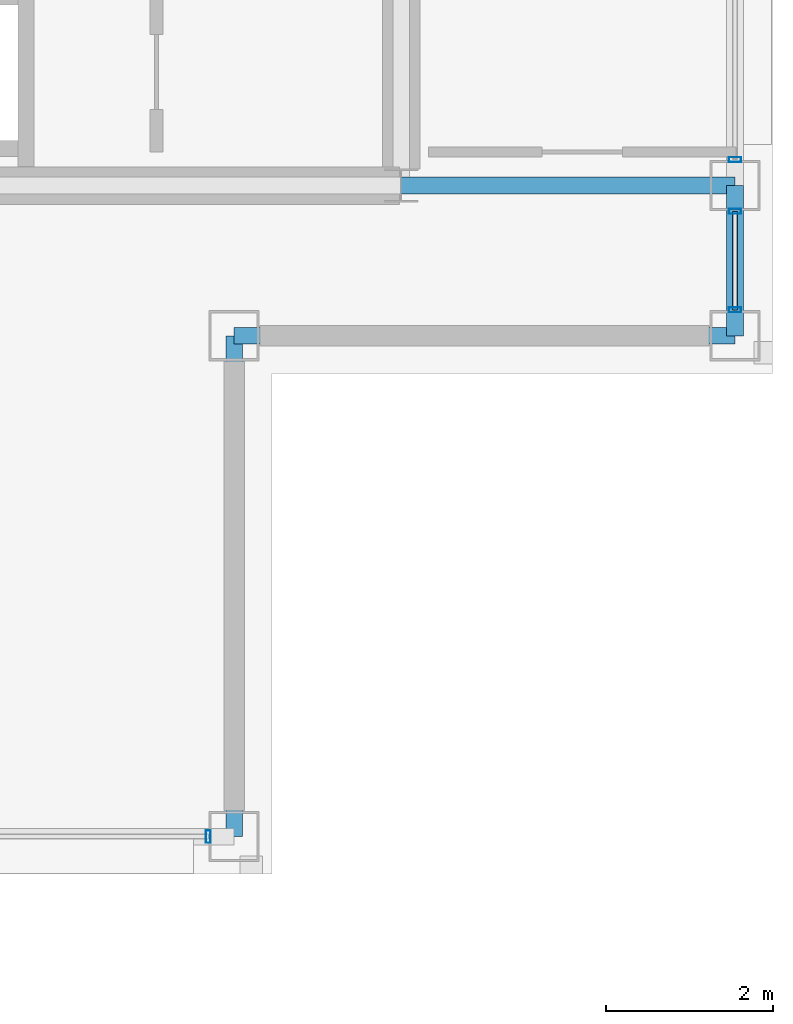
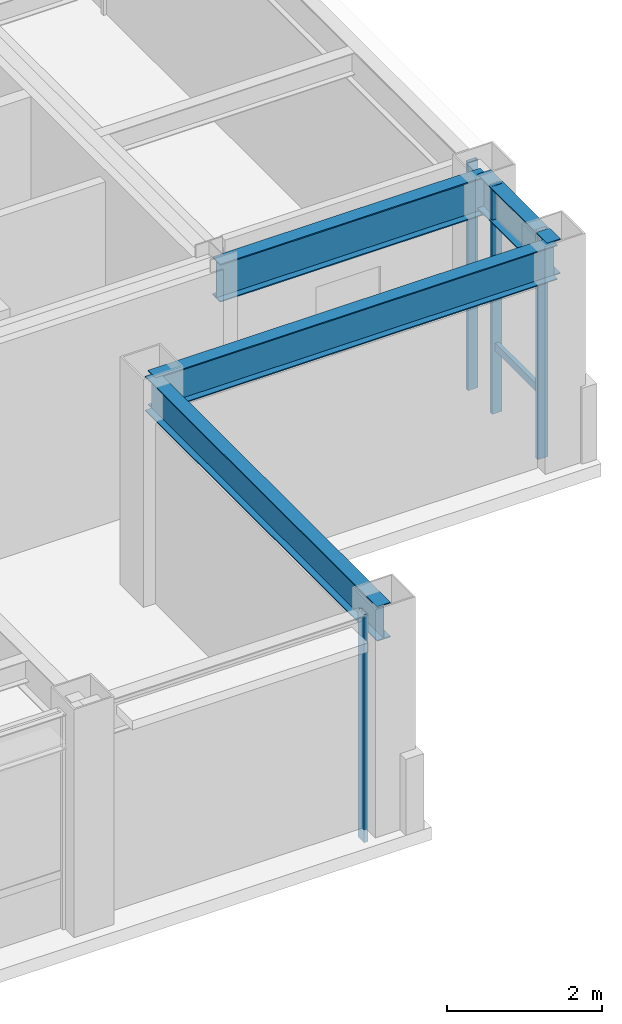
# One storey, part 13 of 24: 5 members, 4 beams, 3 elements without a shape of their own.
"""IFC4 building model written with IfcOpenShell, lengths in metres."""

from ifc_helpers import new_model, si_unit, direction, frame, origin, origin_2d, place, context, subcontext, project, spatial, hollow_rectangle, i_section, extrude, material, layer, layer_set, material_profile, profile_set, type_object, element, aggregate, save


model = new_model("IFC4")

# Units and contexts
model_context = context("Model", 3, precision=1e-05, world=origin(), true_north=direction((0.0, 1.0)))
body_context = subcontext(model_context, "Body", "Model", "MODEL_VIEW")
ifc_project = project(units=[si_unit("LENGTHUNIT", "METRE"), si_unit("AREAUNIT", "SQUARE_METRE"), si_unit("VOLUMEUNIT", "CUBIC_METRE"), si_unit("PLANEANGLEUNIT", "RADIAN"), si_unit("MASSUNIT", "GRAM", prefix="KILO")], contexts=[model_context])

# Site, building, storey
site_placement = place(None, origin())
site = spatial("IfcSite", under=ifc_project, at=site_placement, CompositionType="ELEMENT")
building_placement = place(site_placement, origin())
building = spatial("IfcBuilding", under=site, at=building_placement, Name="Brelmoor Portico Tower", CompositionType="ELEMENT")
storey_placement = place(building_placement, frame((0.0, 0.0, 261.60009765625)))
storey = spatial("IfcBuildingStorey", under=building, at=storey_placement, Name="L69", CompositionType="ELEMENT", Elevation=261.60009765625)

# Beams
ifc_material_1 = material(Name="Steel Q355B", Category="steel")
ifc_material_profile_1 = material_profile(ifc_material_1, i_section(OverallWidth=0.199951171875, OverallDepth=0.60009765625, WebThickness=0.010986328125, FlangeThickness=0.01708984375, at=origin_2d()), Name="HN 600x200x11x17")
ifc_profile_set_1 = profile_set([ifc_material_profile_1], Name="Steel Q355B")
beam_type_1 = type_object("IfcBeamType", Name="BM-PG-600", PredefinedType="BEAM", material=ifc_profile_set_1)
beam_1_placement = place(storey_placement, frame((14.550048828125, -9.75, 3.099853515625), z_axis=(1.0, 0.0, 0.0), x_axis=(0.0, 1.0, 0.0)))
element("IfcBeam", 1, at=beam_1_placement, inside=storey, type_object=beam_type_1, Name="L69 Primary Floor Girder PG-15", PredefinedType="BEAM", context=body_context, shape_type="SweptSolid", body=[
    extrude(i_section(OverallWidth=0.199951171875, OverallDepth=0.60009765625, WebThickness=0.010986328125, FlangeThickness=0.01708984375, at=origin_2d()), origin(), (0.0, 0.0, 1.0), 4.0),
])
ifc_material_profile_2 = material_profile(ifc_material_1, i_section(OverallWidth=0.199951171875, OverallDepth=0.550048828125, WebThickness=0.010009765625, FlangeThickness=0.01611328125, at=origin_2d()), Name="HN 550x200x10x16")
ifc_profile_set_2 = profile_set([ifc_material_profile_2], Name="Steel Q355B")
beam_type_2 = type_object("IfcBeamType", Name="BM-SP-550", PredefinedType="SPANDREL", material=ifc_profile_set_2)
for number, where, z_axis, x_axis, name in (
    (2, (12.550048828125, -11.550048828125, 3.125), (1.0, 0.0, 0.0), (0.0, 1.0, 0.0), "L69 Perimeter Spandrel Beam SP-05"),
    (3, (12.550048828125, -17.550048828125, 3.125), (0.0, 1.0, 0.0), (-1.0, 0.0, 0.0), "L69 Perimeter Spandrel Beam SP-16"),
):
    element("IfcBeam", number, at=place(storey_placement, frame(where, z_axis=z_axis, x_axis=x_axis)), inside=storey, type_object=beam_type_2, Name=name, PredefinedType="SPANDREL", context=body_context, shape_type="SweptSolid", body=[
        extrude(i_section(OverallWidth=0.199951171875, OverallDepth=0.550048828125, WebThickness=0.010009765625, FlangeThickness=0.01611328125, at=origin_2d()), origin(), (0.0, 0.0, 1.0), 6.0),
    ])
beam_2_placement = place(storey_placement, frame((18.550048828125, -11.550048828125, 3.125), z_axis=(0.0, 1.0, 0.0), x_axis=(-1.0, 0.0, 0.0)))
element("IfcBeam", 4, at=beam_2_placement, inside=storey, type_object=beam_type_2, Name="L69 Perimeter Spandrel Beam SP-18", PredefinedType="SPANDREL", context=body_context, shape_type="SweptSolid", body=[
    extrude(i_section(OverallWidth=0.199951171875, OverallDepth=0.550048828125, WebThickness=0.010009765625, FlangeThickness=0.01611328125, at=origin_2d()), origin(), (0.0, 0.0, 1.0), 1.800048828125),
])

# Curtain wall, member
ifc_material_2 = material(Name="Anodised Aluminium Alloy 6063-T6", Category="aluminium")
ifc_layer_1 = layer(ifc_material_2, 0.179931640625)
ifc_layer_set_1 = layer_set([ifc_layer_1], Name="Anodised Aluminium Alloy 6063-T6")
curtain_wall_type_1 = type_object("IfcCurtainWallType", Name="CW-TOWER-Z4-XB", PredefinedType="NOTDEFINED", material=ifc_layer_set_1)
curtain_wall_1_placement = place(storey_placement, origin())
curtain_wall_1 = element("IfcCurtainWall", 5, at=curtain_wall_1_placement, inside=storey, type_object=curtain_wall_type_1, Name="L69 Curtain Wall CW-L69-1R-2", PredefinedType="NOTDEFINED")
ifc_material_profile_3 = material_profile(ifc_material_2, hollow_rectangle(XDim=0.06005859375, YDim=0.14990234375, WallThickness=0.00390625, at=origin_2d()), Name="ALU MULLION 60x150")
ifc_profile_set_3 = profile_set([ifc_material_profile_3], Name="Anodised Aluminium Alloy 6063-T6")
member_type_1 = type_object("IfcMemberType", Name="MB-CW-MULL-150", PredefinedType="MULLION", material=ifc_profile_set_3)
member_1_placement = place(storey_placement, frame((12.239990234375, -17.550048828125, -0.2001953125), z_axis=(0.0, 0.0, 1.0), x_axis=(1.0, 0.0, 0.0)))
member_1 = element("IfcMember", 6, at=member_1_placement, type_object=member_type_1, Name="CW-L69-1R-2 Mullion 01", PredefinedType="MULLION", context=body_context, shape_type="SweptSolid", body=[
    extrude(hollow_rectangle(XDim=0.06005859375, YDim=0.14990234375, WallThickness=0.00390625, at=origin_2d()), origin(), (0.0, 0.0, 1.0), 3.60009765625),
])
aggregate(curtain_wall_1, [member_1])

# Curtain wall, members
ifc_layer_2 = layer(ifc_material_2, 0.179931640625)
ifc_layer_set_2 = layer_set([ifc_layer_2], Name="Anodised Aluminium Alloy 6063-T6")
curtain_wall_type_2 = type_object("IfcCurtainWallType", Name="CW-TOWER-Z4", PredefinedType="NOTDEFINED", material=ifc_layer_set_2)
curtain_wall_2_placement = place(storey_placement, origin())
curtain_wall_2 = element("IfcCurtainWall", 7, at=curtain_wall_2_placement, inside=storey, type_object=curtain_wall_type_2, Name="L69 Curtain Wall CW-L69-04-1", PredefinedType="NOTDEFINED")
member_2_placement = place(storey_placement, frame((18.550048828125, -11.239990234375, -0.2001953125), z_axis=(0.0, 0.0, 1.0), x_axis=(0.0, 1.0, 0.0)))
member_2 = element("IfcMember", 8, at=member_2_placement, type_object=member_type_1, Name="CW-L69-04-1 Mullion 00", PredefinedType="MULLION", context=body_context, shape_type="SweptSolid", body=[
    extrude(hollow_rectangle(XDim=0.06005859375, YDim=0.14990234375, WallThickness=0.00390625, at=origin_2d()), origin(), (0.0, 0.0, 1.0), 3.60009765625),
])
member_3_placement = place(storey_placement, frame((18.550048828125, -10.06005859375, -0.2001953125), z_axis=(0.0, 0.0, 1.0), x_axis=(0.0, 1.0, 0.0)))
member_3 = element("IfcMember", 9, at=member_3_placement, type_object=member_type_1, Name="CW-L69-04-1 Mullion 01", PredefinedType="MULLION", context=body_context, shape_type="SweptSolid", body=[
    extrude(hollow_rectangle(XDim=0.06005859375, YDim=0.14990234375, WallThickness=0.00390625, at=origin_2d()), origin(), (0.0, 0.0, 1.0), 3.60009765625),
])

# Curtain wall, member
curtain_wall_3_placement = place(storey_placement, origin())
curtain_wall_3 = element("IfcCurtainWall", 10, at=curtain_wall_3_placement, inside=storey, type_object=curtain_wall_type_1, Name="L69 Curtain Wall CW-L69-04-2", PredefinedType="NOTDEFINED")
member_4_placement = place(storey_placement, frame((18.550048828125, -9.43994140625, -0.2001953125), z_axis=(0.0, 0.0, 1.0), x_axis=(0.0, 1.0, 0.0)))
member_4 = element("IfcMember", 11, at=member_4_placement, type_object=member_type_1, Name="CW-L69-04-2 Mullion 00", PredefinedType="MULLION", context=body_context, shape_type="SweptSolid", body=[
    extrude(hollow_rectangle(XDim=0.06005859375, YDim=0.14990234375, WallThickness=0.00390625, at=origin_2d()), origin(), (0.0, 0.0, 1.0), 3.60009765625),
])
aggregate(curtain_wall_3, [member_4])

# Member
ifc_material_profile_4 = material_profile(ifc_material_2, hollow_rectangle(XDim=0.06005859375, YDim=0.125, WallThickness=0.00341796875, at=origin_2d()), Name="ALU TRANSOM 60x125")
ifc_profile_set_4 = profile_set([ifc_material_profile_4], Name="Anodised Aluminium Alloy 6063-T6")
member_type_2 = type_object("IfcMemberType", Name="MB-CW-TRAN-125", PredefinedType="USERDEFINED", material=ifc_profile_set_4)
member_5_placement = place(storey_placement, frame((18.550048828125, -11.239990234375, 0.849853515625), z_axis=(0.0, 1.0, 0.0), x_axis=(-1.0, 0.0, 0.0)))
member_5 = element("IfcMember", 12, at=member_5_placement, type_object=member_type_2, Name="CW-L69-04-1 Transom 1-00", ObjectType="TRANSOM", PredefinedType="USERDEFINED", context=body_context, shape_type="SweptSolid", body=[
    extrude(hollow_rectangle(XDim=0.06005859375, YDim=0.125, WallThickness=0.00341796875, at=origin_2d()), origin(), (0.0, 0.0, 1.0), 1.179931640625),
])

aggregate(curtain_wall_2, [member_2, member_3, member_5])

save(model, "model.ifc")
